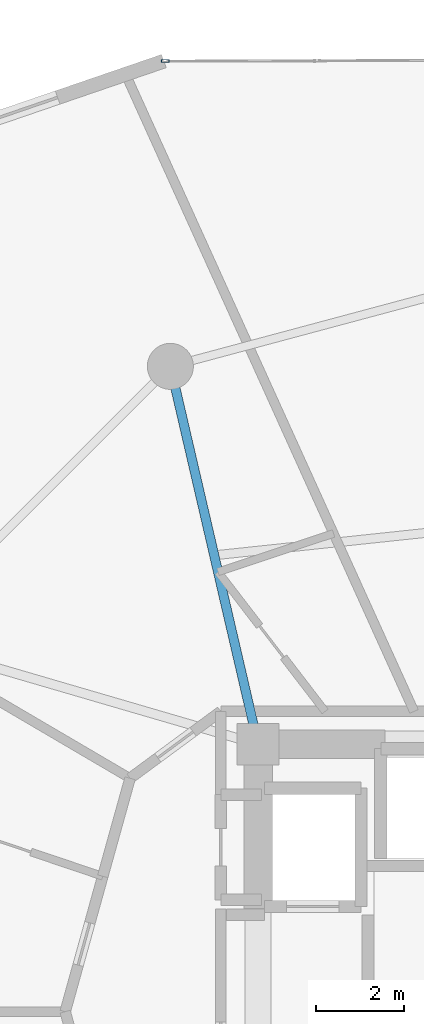
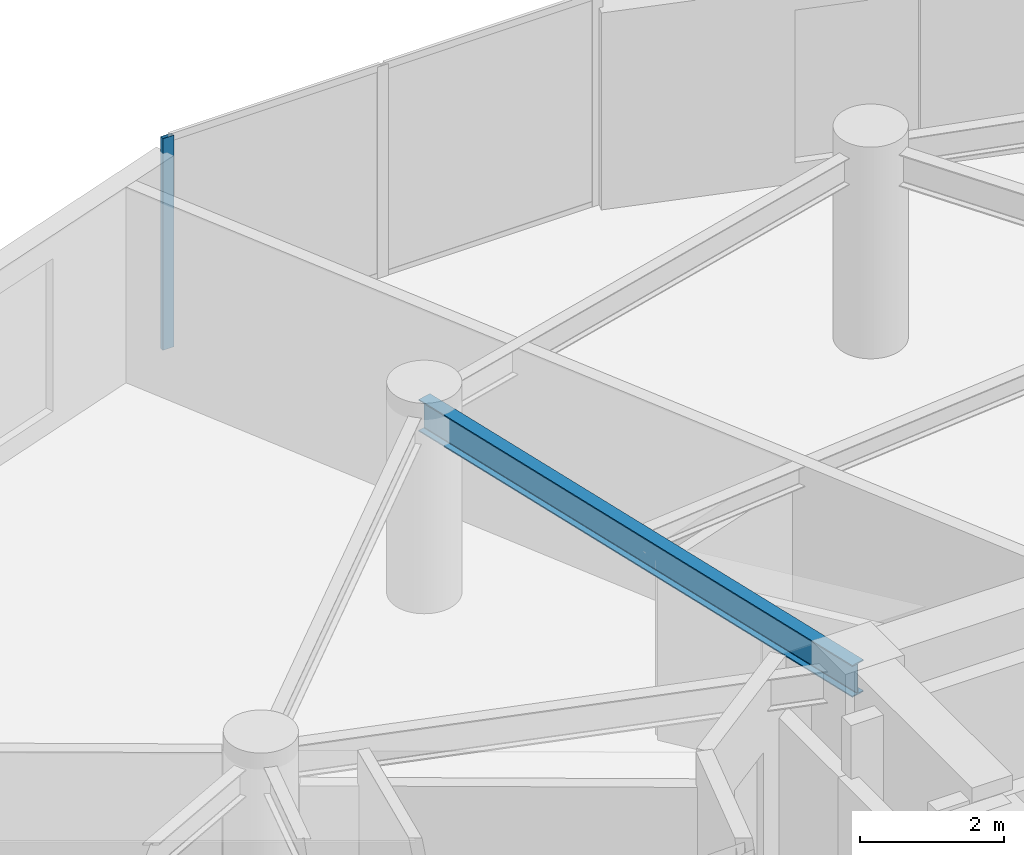
# One storey, part 12 of 21: 1 beam, 1 member, 1 element without a shape of its own.
"""IFC4 building model written with IfcOpenShell, lengths in metres."""

from ifc_helpers import new_model, si_unit, direction, frame, origin, origin_2d, place, context, subcontext, project, spatial, hollow_rectangle, i_section, extrude, source, transform, mapped, material, layer, layer_set, material_profile, profile_set, type_object, element, aggregate, save


model = new_model("IFC4")

# Units and contexts
model_context = context("Model", 3, precision=1e-05, world=origin(), true_north=direction((0.0, 1.0)))
body_context = subcontext(model_context, "Body", "Model", "MODEL_VIEW")
ifc_project = project(units=[si_unit("LENGTHUNIT", "METRE"), si_unit("AREAUNIT", "SQUARE_METRE"), si_unit("VOLUMEUNIT", "CUBIC_METRE"), si_unit("PLANEANGLEUNIT", "RADIAN"), si_unit("MASSUNIT", "GRAM", prefix="KILO")], contexts=[model_context])

# Site, building, storey
site_placement = place(None, origin())
site = spatial("IfcSite", under=ifc_project, at=site_placement, CompositionType="ELEMENT")
building_placement = place(site_placement, origin())
building = spatial("IfcBuilding", under=site, at=building_placement, Name="Solvirekh Grand Hotel", CompositionType="ELEMENT")
storey_placement = place(building_placement, frame((0.0, 0.0, 131.39990234375)))
storey = spatial("IfcBuildingStorey", under=building, at=storey_placement, Name="L33", CompositionType="ELEMENT", Elevation=131.39990234375)

# Beam
ifc_material_1 = material(Name="Steel S355", Category="steel")
ifc_material_profile_1 = material_profile(ifc_material_1, i_section(OverallWidth=0.2119140625, OverallDepth=0.5439453125, WebThickness=0.011962890625, FlangeThickness=0.01904296875, FilletRadius=0.013916015625, at=origin_2d()), Name="W530X123")
ifc_profile_set_1 = profile_set([ifc_material_profile_1], Name="Steel S355")
beam_type = type_object("IfcBeamType", Name="Beam_Radial_W530H", PredefinedType="BEAM", material=ifc_profile_set_1)
beam_placement = place(storey_placement, frame((-6.5, 6.10009765625, 3.078125), z_axis=(-0.225969390542, 0.974134402707, 0.0), x_axis=(-0.974134402707, -0.225969390542, 0.0)))
element("IfcBeam", 1, at=beam_placement, inside=storey, type_object=beam_type, Name="L33 radial floor beam R05", PredefinedType="BEAM", context=body_context, shape_type="SweptSolid", body=[
    extrude(i_section(OverallWidth=0.2119140625, OverallDepth=0.5439453125, WebThickness=0.011962890625, FlangeThickness=0.01904296875, FilletRadius=0.013916015625, at=origin_2d()), origin(), (0.0, 0.0, 1.0), 8.850830078125),
])

# Curtain wall, member
ifc_material_2 = material(Name="Anodized Bronze Aluminium 6063-T6", Category="aluminium")
ifc_layer = layer(ifc_material_2, 0.175048828125)
ifc_layer_set = layer_set([ifc_layer], Name="Anodized Bronze Aluminium 6063-T6")
curtain_wall_type = type_object("IfcCurtainWallType", Name="CW_Sys3_MidZoneFlushBronzeCW", PredefinedType="NOTDEFINED", material=ifc_layer_set)
curtain_wall_placement = place(storey_placement, origin())
curtain_wall = element("IfcCurtainWall", 2, at=curtain_wall_placement, inside=storey, type_object=curtain_wall_type, Name="L33 unitised bronze-glass curtain wall CW-L33-C08", PredefinedType="NOTDEFINED")
ifc_material_profile_2 = material_profile(ifc_material_2, hollow_rectangle(XDim=0.06494140625, YDim=0.175048828125, WallThickness=0.0048828125, at=origin_2d()), Name="ALU RHS 175X65X5")
ifc_profile_set_2 = profile_set([ifc_material_profile_2], Name="Anodized Bronze Aluminium 6063-T6")
member_type = type_object("IfcMemberType", Name="CWMullion_Sys3", PredefinedType="MULLION", material=ifc_profile_set_2)
shared_shape = source(origin(), body_context, "Body", "SweptSolid", [
    extrude(hollow_rectangle(XDim=0.06494140625, YDim=0.175048828125, WallThickness=0.0048828125, at=origin_2d()), origin(), (0.0, 0.0, 1.0), 3.60009765625),
])
member_placement = place(storey_placement, frame((-8.616455078125, 21.68701171875, 0.0), z_axis=(0.0, 0.0, 1.0), x_axis=(0.003147788104, -0.999995045703, 0.0)))
member = element("IfcMember", 3, at=member_placement, type_object=member_type, Name="U03 mullion 3", PredefinedType="MULLION", context=body_context, shape_type="MappedRepresentation", body=[
    mapped(shared_shape, transform((0.0, 0.0, 0.0), x_axis=(1.0, 0.0, 0.0), y_axis=(0.0, 1.0, 0.0), z_axis=(0.0, 0.0, 1.0), scale=1.0)),
])
aggregate(curtain_wall, [member])

save(model, "model.ifc")
